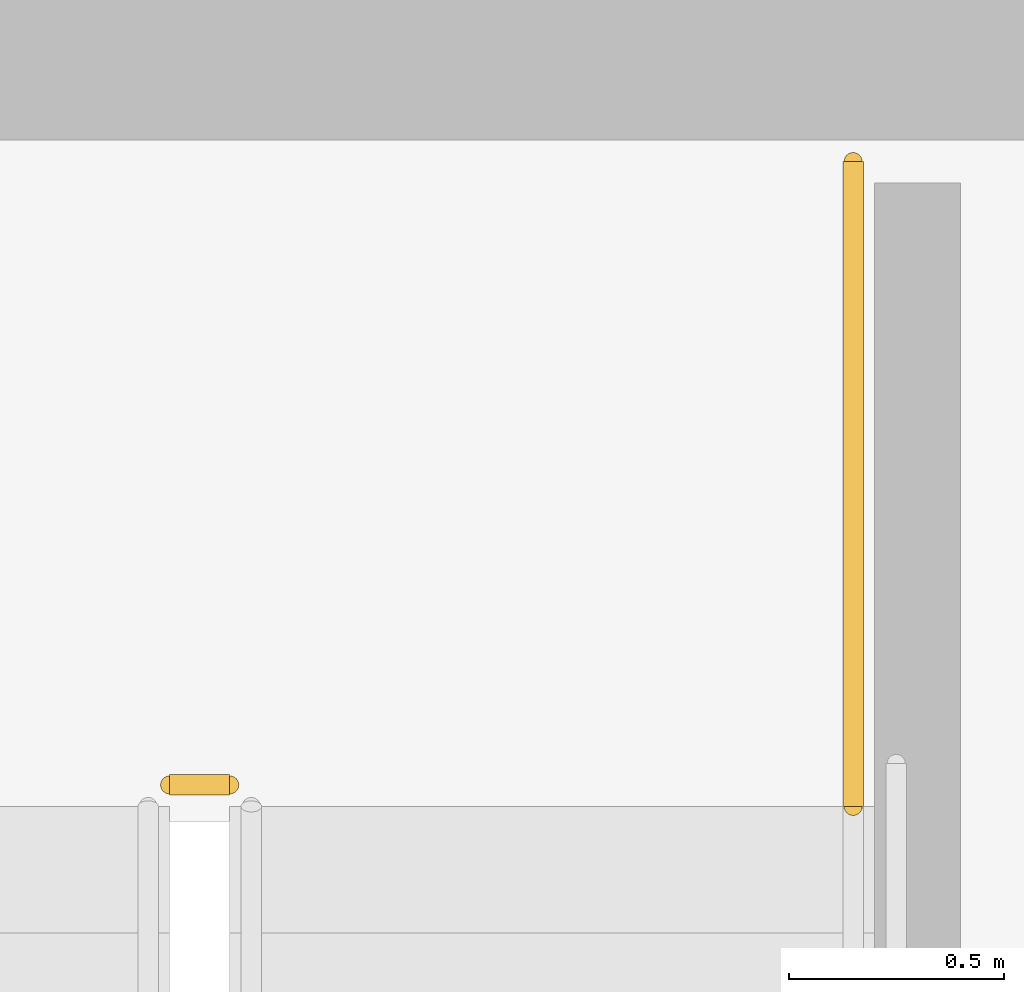
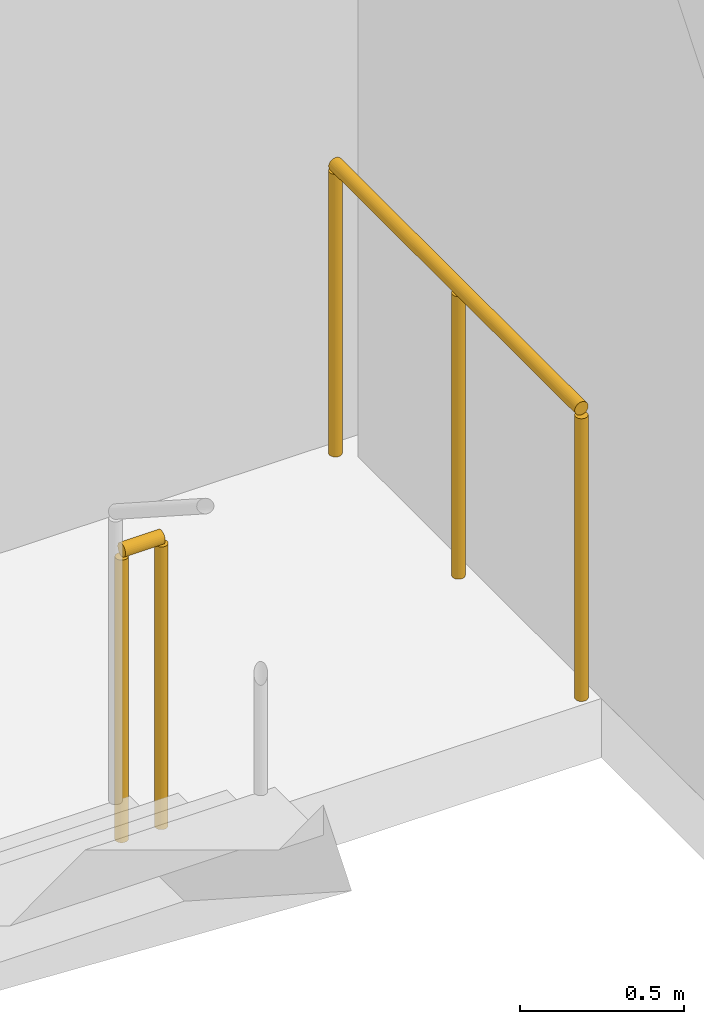
# One storey, part 29 of 30: 2 railings.
"""IFC4 building model written with IfcOpenShell, lengths in metres."""

from ifc_helpers import new_model, si_unit, direction, frame, origin, origin_2d, place, context, subcontext, project, spatial, circle, extrude, material, layer, layer_set, type_object, element, save


model = new_model("IFC4")

# Units and contexts
model_context = context("Model", 3, precision=1e-05, world=origin(), true_north=direction((0.0, 1.0)))
body_context = subcontext(model_context, "Body", "Model", "MODEL_VIEW")
ifc_project = project(units=[si_unit("LENGTHUNIT", "METRE"), si_unit("AREAUNIT", "SQUARE_METRE"), si_unit("VOLUMEUNIT", "CUBIC_METRE"), si_unit("PLANEANGLEUNIT", "RADIAN"), si_unit("MASSUNIT", "GRAM", prefix="KILO")], contexts=[model_context])

# Site, building, storey
site_placement = place(None, origin())
site = spatial("IfcSite", under=ifc_project, at=site_placement, CompositionType="ELEMENT")
building_placement = place(site_placement, origin())
building = spatial("IfcBuilding", under=site, at=building_placement, Name="Ndaravel Arena Tower", CompositionType="ELEMENT")
storey_placement = place(building_placement, frame((0.0, 0.0, 221.800048828125)))
storey = spatial("IfcBuildingStorey", under=building, at=storey_placement, Name="L53", CompositionType="ELEMENT", Elevation=221.800048828125)

# Railings
ifc_material = material(Name="Steel S355", Category="steel")
ifc_layer = layer(ifc_material, 0.06005859375)
ifc_layer_set = layer_set([ifc_layer], Name="Steel S355")
railing_type = type_object("IfcRailingType", Name="RAIL-STAIR-GD1100", PredefinedType="GUARDRAIL", material=ifc_layer_set)
railing_1_placement = place(storey_placement, frame((55.10009765625, 13.300048828125, 0.0)))
element("IfcRailing", 1, at=railing_1_placement, inside=storey, type_object=railing_type, Name="L53 ST-3 stair guard 4", PredefinedType="GUARDRAIL", context=body_context, shape_type="SweptSolid", body=[
    extrude(circle(Radius=0.02392578125, at=origin_2d()), frame((0.0, 0.0, 1.076171875), z_axis=(1.0, 0.0, 0.0), x_axis=(0.0, 1.0, 0.0)), (0.0, 0.0, 1.0), 0.139892578125),
    extrude(circle(Radius=0.02099609375, at=origin_2d()), origin(), (0.0, 0.0, 1.0), 1.052001953125),
    extrude(circle(Radius=0.02099609375, at=origin_2d()), frame((0.139892578125, 0.0, 0.0)), (0.0, 0.0, 1.0), 1.052001953125),
])
railing_2_placement = place(storey_placement, frame((56.68994140625, 14.75, 0.0)))
element("IfcRailing", 2, at=railing_2_placement, inside=storey, type_object=railing_type, Name="L53 ST-3 stair guard 5", PredefinedType="GUARDRAIL", context=body_context, shape_type="SweptSolid", body=[
    extrude(circle(Radius=0.02392578125, at=origin_2d()), frame((0.0, 0.0, 1.076171875), z_axis=(0.0, -1.0, 0.0), x_axis=(1.0, 0.0, 0.0)), (0.0, 0.0, 1.0), 1.5),
    extrude(circle(Radius=0.02099609375, at=origin_2d()), origin(), (0.0, 0.0, 1.0), 1.052001953125),
    extrude(circle(Radius=0.02099609375, at=origin_2d()), frame((0.0, -0.75, 0.0)), (0.0, 0.0, 1.0), 1.052001953125),
    extrude(circle(Radius=0.02099609375, at=origin_2d()), frame((0.0, -1.5, 0.0)), (0.0, 0.0, 1.0), 1.052001953125),
])

save(model, "model.ifc")
